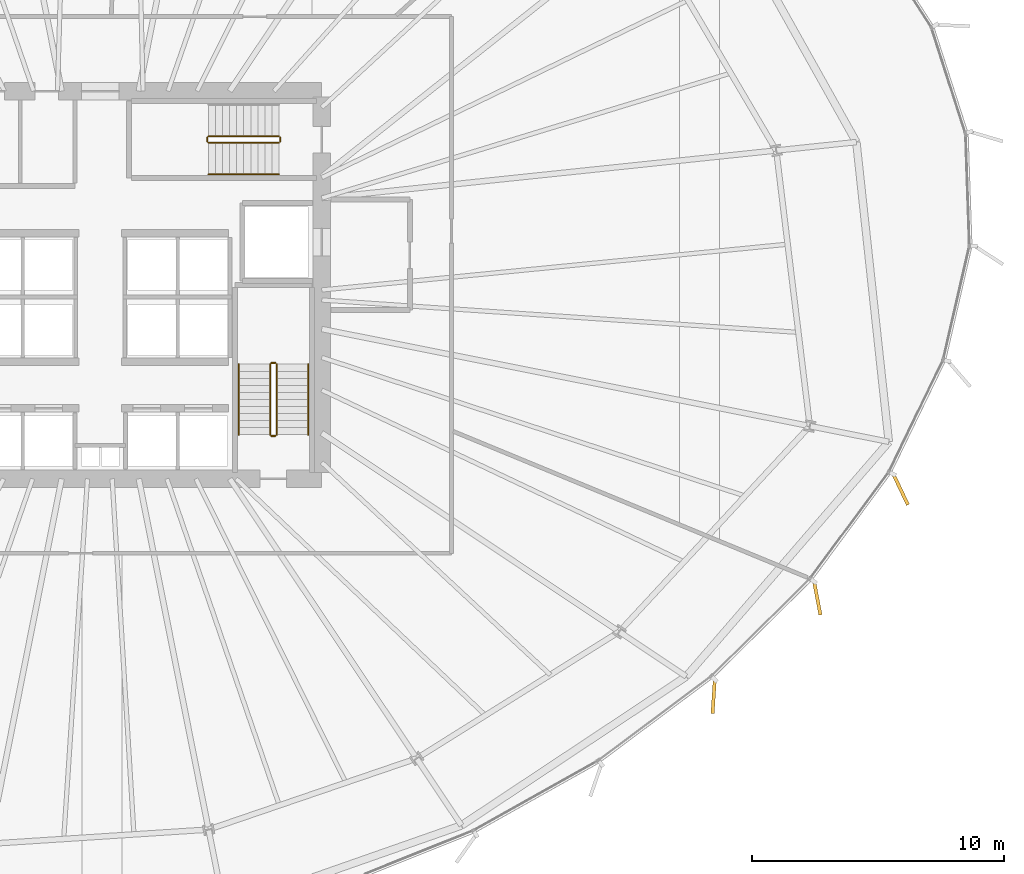
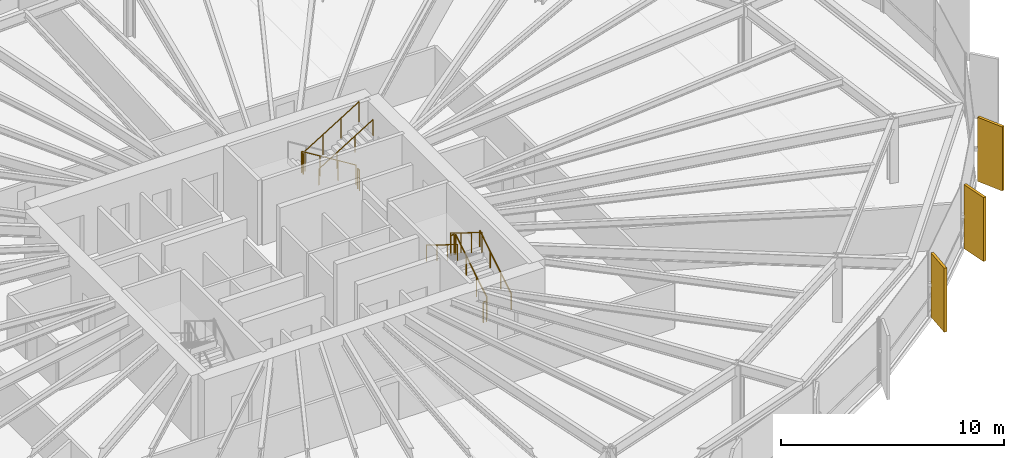
# One storey, part 34 of 35: 11 railings, 3 coverings.
"""IFC4 building model written with IfcOpenShell, lengths in metres."""

from ifc_helpers import new_model, si_unit, direction, frame, origin, origin_2d, place, context, subcontext, project, spatial, rectangle, circle, extrude, source, transform, mapped, material, layer, layer_set, type_object, element, save


model = new_model("IFC4")

# Units and contexts
model_context = context("Model", 3, precision=1e-05, world=origin(), true_north=direction((0.0, 1.0)))
body_context = subcontext(model_context, "Body", "Model", "MODEL_VIEW")
ifc_project = project(units=[si_unit("LENGTHUNIT", "METRE"), si_unit("AREAUNIT", "SQUARE_METRE"), si_unit("VOLUMEUNIT", "CUBIC_METRE"), si_unit("PLANEANGLEUNIT", "RADIAN"), si_unit("MASSUNIT", "GRAM", prefix="KILO"), si_unit("THERMODYNAMICTEMPERATUREUNIT", "KELVIN")], contexts=[model_context])

# Site, building, storey
site_placement = place(None, origin())
site = spatial("IfcSite", under=ifc_project, at=site_placement, CompositionType="ELEMENT")
building_placement = place(site_placement, origin())
building = spatial("IfcBuilding", under=site, at=building_placement, Name="Kethvar Cultural Tower", CompositionType="ELEMENT")
storey_placement = place(building_placement, frame((0.0, 0.0, 71.39990234375)))
storey = spatial("IfcBuildingStorey", under=building, at=storey_placement, Name="L17", CompositionType="ELEMENT", Elevation=71.39990234375)

# Railings
ifc_material_1 = material(Name="Steel S355J2", Category="steel")
railing_type_1 = type_object("IfcRailingType", Name="RL-STAIR-GUARD", PredefinedType="BALUSTRADE", material=ifc_material_1)
railing_1_placement = place(storey_placement, frame((53.81005859375, 21.85009765625, 0.1728515625)))
element("IfcRailing", 1, at=railing_1_placement, inside=storey, type_object=railing_type_1, Name="L17 ST-02 stair guard 1", PredefinedType="BALUSTRADE", context=body_context, shape_type="SweptSolid", body=[
    extrude(circle(Radius=0.02392578125, at=origin_2d()), frame((0.0, 0.0, 1.09619140625), z_axis=(0.0, 0.851069175582, 0.525053576669), x_axis=(-1.0, 0.0, 0.0)), (0.0, 0.0, 1.0), 3.289794921875),
    extrude(circle(Radius=0.02099609375, at=origin_2d()), origin(), (0.0, 0.0, 1.0), 1.072021484375),
    extrude(circle(Radius=0.02099609375, at=origin_2d()), frame((0.0, 0.933349609375, 0.57568359375)), (0.0, 0.0, 1.0), 1.072021484375),
    extrude(circle(Radius=0.02099609375, at=origin_2d()), frame((0.0, 1.866455078125, 1.151611328125)), (0.0, 0.0, 1.0), 1.072021484375),
    extrude(circle(Radius=0.02099609375, at=origin_2d()), frame((0.0, 2.7998046875, 1.727294921875)), (0.0, 0.0, 1.0), 1.072021484375),
])
railing_2_placement = place(storey_placement, frame((53.760009765625, 24.699951171875, 1.900146484375)))
element("IfcRailing", 2, at=railing_2_placement, inside=storey, type_object=railing_type_1, Name="L17 ST-02 stair guard 2", PredefinedType="BALUSTRADE", context=body_context, shape_type="SweptSolid", body=[
    extrude(circle(Radius=0.02392578125, at=origin_2d()), frame((0.0, 0.0, 1.09619140625), z_axis=(-1.0, 0.0, 0.0), x_axis=(0.0, -1.0, 0.0)), (0.0, 0.0, 1.0), 0.159912109375),
    extrude(circle(Radius=0.02099609375, at=origin_2d()), origin(), (0.0, 0.0, 1.0), 1.072021484375),
    extrude(circle(Radius=0.02099609375, at=origin_2d()), frame((-0.159912109375, 0.0, 0.0)), (0.0, 0.0, 1.0), 1.072021484375),
])
railing_3_placement = place(storey_placement, frame((53.550048828125, 24.64990234375, 2.07275390625)))
element("IfcRailing", 3, at=railing_3_placement, inside=storey, type_object=railing_type_1, Name="L17 ST-02 stair guard 3", PredefinedType="BALUSTRADE", context=body_context, shape_type="SweptSolid", body=[
    extrude(circle(Radius=0.02392578125, at=origin_2d()), frame((0.0, 0.0, 1.09619140625), z_axis=(0.0, -0.851069175582, 0.525053576669), x_axis=(1.0, 0.0, 0.0)), (0.0, 0.0, 1.0), 3.289794921875),
    extrude(circle(Radius=0.02099609375, at=origin_2d()), origin(), (0.0, 0.0, 1.0), 1.072021484375),
    extrude(circle(Radius=0.02099609375, at=origin_2d()), frame((0.0, -0.933349609375, 0.57568359375)), (0.0, 0.0, 1.0), 1.072021484375),
    extrude(circle(Radius=0.02099609375, at=origin_2d()), frame((0.0, -1.866455078125, 1.151611328125)), (0.0, 0.0, 1.0), 1.072021484375),
    extrude(circle(Radius=0.02099609375, at=origin_2d()), frame((0.0, -2.7998046875, 1.727294921875)), (0.0, 0.0, 1.0), 1.072021484375),
])
railing_4_placement = place(storey_placement, frame((53.760009765625, 21.800048828125, 0.0)))
element("IfcRailing", 4, at=railing_4_placement, inside=storey, type_object=railing_type_1, Name="L17 ST-02 stair guard 4", PredefinedType="BALUSTRADE", context=body_context, shape_type="SweptSolid", body=[
    extrude(circle(Radius=0.02392578125, at=origin_2d()), frame((0.0, 0.0, 1.09619140625), z_axis=(-1.0, 0.0, 0.0), x_axis=(0.0, -1.0, 0.0)), (0.0, 0.0, 1.0), 0.159912109375),
    extrude(circle(Radius=0.02099609375, at=origin_2d()), origin(), (0.0, 0.0, 1.0), 1.072021484375),
    extrude(circle(Radius=0.02099609375, at=origin_2d()), frame((-0.159912109375, 0.0, 0.0)), (0.0, 0.0, 1.0), 1.072021484375),
])
railing_5_placement = place(storey_placement, frame((53.89990234375, 33.7099609375, 0.1728515625)))
element("IfcRailing", 5, at=railing_5_placement, inside=storey, type_object=railing_type_1, Name="L17 ST-03 stair guard 1", PredefinedType="BALUSTRADE", context=body_context, shape_type="SweptSolid", body=[
    extrude(circle(Radius=0.02392578125, at=origin_2d()), frame((0.0, 0.0, 1.09619140625), z_axis=(-0.851069175582, 0.0, 0.525053576669), x_axis=(0.0, -1.0, 0.0)), (0.0, 0.0, 1.0), 3.289794921875),
    extrude(circle(Radius=0.02099609375, at=origin_2d()), origin(), (0.0, 0.0, 1.0), 1.072021484375),
    extrude(circle(Radius=0.02099609375, at=origin_2d()), frame((-0.933349609375, 0.0, 0.57568359375)), (0.0, 0.0, 1.0), 1.072021484375),
    extrude(circle(Radius=0.02099609375, at=origin_2d()), frame((-1.866455078125, 0.0, 1.151611328125)), (0.0, 0.0, 1.0), 1.072021484375),
    extrude(circle(Radius=0.02099609375, at=origin_2d()), frame((-2.7998046875, 0.0, 1.727294921875)), (0.0, 0.0, 1.0), 1.072021484375),
])
railing_6_placement = place(storey_placement, frame((51.050048828125, 33.659912109375, 1.900146484375)))
element("IfcRailing", 6, at=railing_6_placement, inside=storey, type_object=railing_type_1, Name="L17 ST-03 stair guard 2", PredefinedType="BALUSTRADE", context=body_context, shape_type="SweptSolid", body=[
    extrude(circle(Radius=0.02392578125, at=origin_2d()), frame((0.0, 0.0, 1.09619140625), z_axis=(0.0, -1.0, 0.0), x_axis=(1.0, 0.0, 0.0)), (0.0, 0.0, 1.0), 0.159912109375),
    extrude(circle(Radius=0.02099609375, at=origin_2d()), origin(), (0.0, 0.0, 1.0), 1.072021484375),
    extrude(circle(Radius=0.02099609375, at=origin_2d()), frame((0.0, -0.159912109375, 0.0)), (0.0, 0.0, 1.0), 1.072021484375),
])
railing_7_placement = place(storey_placement, frame((51.10009765625, 33.449951171875, 2.07275390625)))
element("IfcRailing", 7, at=railing_7_placement, inside=storey, type_object=railing_type_1, Name="L17 ST-03 stair guard 3", PredefinedType="BALUSTRADE", context=body_context, shape_type="SweptSolid", body=[
    extrude(circle(Radius=0.02392578125, at=origin_2d()), frame((0.0, 0.0, 1.09619140625), z_axis=(0.851069175582, 0.0, 0.525053576669), x_axis=(0.0, 1.0, 0.0)), (0.0, 0.0, 1.0), 3.289794921875),
    extrude(circle(Radius=0.02099609375, at=origin_2d()), origin(), (0.0, 0.0, 1.0), 1.072021484375),
    extrude(circle(Radius=0.02099609375, at=origin_2d()), frame((0.933349609375, 0.0, 0.57568359375)), (0.0, 0.0, 1.0), 1.072021484375),
    extrude(circle(Radius=0.02099609375, at=origin_2d()), frame((1.866455078125, 0.0, 1.151611328125)), (0.0, 0.0, 1.0), 1.072021484375),
    extrude(circle(Radius=0.02099609375, at=origin_2d()), frame((2.7998046875, 0.0, 1.727294921875)), (0.0, 0.0, 1.0), 1.072021484375),
])
railing_8_placement = place(storey_placement, frame((53.949951171875, 33.659912109375, 0.0)))
element("IfcRailing", 8, at=railing_8_placement, inside=storey, type_object=railing_type_1, Name="L17 ST-03 stair guard 4", PredefinedType="BALUSTRADE", context=body_context, shape_type="SweptSolid", body=[
    extrude(circle(Radius=0.02392578125, at=origin_2d()), frame((0.0, 0.0, 1.09619140625), z_axis=(0.0, -1.0, 0.0), x_axis=(1.0, 0.0, 0.0)), (0.0, 0.0, 1.0), 0.159912109375),
    extrude(circle(Radius=0.02099609375, at=origin_2d()), origin(), (0.0, 0.0, 1.0), 1.072021484375),
    extrude(circle(Radius=0.02099609375, at=origin_2d()), frame((0.0, -0.159912109375, 0.0)), (0.0, 0.0, 1.0), 1.072021484375),
])
railing_type_2 = type_object("IfcRailingType", Name="RL-STAIR-HANDRAIL", PredefinedType="HANDRAIL", material=ifc_material_1)
railing_9_placement = place(storey_placement, frame((55.06005859375, 21.85009765625, 0.1728515625)))
element("IfcRailing", 9, at=railing_9_placement, inside=storey, type_object=railing_type_2, Name="L17 ST-02 stair handrail 1", PredefinedType="HANDRAIL", context=body_context, shape_type="SweptSolid", body=[
    extrude(circle(Radius=0.02392578125, at=origin_2d()), frame((0.0, 0.0, 0.8759765625), z_axis=(0.0, 0.851069175582, 0.525053576669), x_axis=(-1.0, 0.0, 0.0)), (0.0, 0.0, 1.0), 3.289794921875),
    extrude(circle(Radius=0.02099609375, at=origin_2d()), origin(), (0.0, 0.0, 1.0), 0.851806640625),
    extrude(circle(Radius=0.02099609375, at=origin_2d()), frame((0.0, 0.933349609375, 0.57568359375)), (0.0, 0.0, 1.0), 0.851806640625),
    extrude(circle(Radius=0.02099609375, at=origin_2d()), frame((0.0, 1.866455078125, 1.151611328125)), (0.0, 0.0, 1.0), 0.851806640625),
    extrude(circle(Radius=0.02099609375, at=origin_2d()), frame((0.0, 2.7998046875, 1.727294921875)), (0.0, 0.0, 1.0), 0.851806640625),
])
railing_10_placement = place(storey_placement, frame((52.300048828125, 24.64990234375, 2.07275390625)))
element("IfcRailing", 10, at=railing_10_placement, inside=storey, type_object=railing_type_2, Name="L17 ST-02 stair handrail 2", PredefinedType="HANDRAIL", context=body_context, shape_type="SweptSolid", body=[
    extrude(circle(Radius=0.02392578125, at=origin_2d()), frame((0.0, 0.0, 0.8759765625), z_axis=(0.0, -0.851069175582, 0.525053576669), x_axis=(1.0, 0.0, 0.0)), (0.0, 0.0, 1.0), 3.289794921875),
    extrude(circle(Radius=0.02099609375, at=origin_2d()), origin(), (0.0, 0.0, 1.0), 0.851806640625),
    extrude(circle(Radius=0.02099609375, at=origin_2d()), frame((0.0, -0.933349609375, 0.57568359375)), (0.0, 0.0, 1.0), 0.851806640625),
    extrude(circle(Radius=0.02099609375, at=origin_2d()), frame((0.0, -1.866455078125, 1.151611328125)), (0.0, 0.0, 1.0), 0.851806640625),
    extrude(circle(Radius=0.02099609375, at=origin_2d()), frame((0.0, -2.7998046875, 1.727294921875)), (0.0, 0.0, 1.0), 0.851806640625),
])
railing_11_placement = place(storey_placement, frame((51.10009765625, 32.199951171875, 2.07275390625)))
element("IfcRailing", 11, at=railing_11_placement, inside=storey, type_object=railing_type_2, Name="L17 ST-03 stair handrail 2", PredefinedType="HANDRAIL", context=body_context, shape_type="SweptSolid", body=[
    extrude(circle(Radius=0.02392578125, at=origin_2d()), frame((0.0, 0.0, 0.8759765625), z_axis=(0.851069175582, 0.0, 0.525053576669), x_axis=(0.0, 1.0, 0.0)), (0.0, 0.0, 1.0), 3.289794921875),
    extrude(circle(Radius=0.02099609375, at=origin_2d()), origin(), (0.0, 0.0, 1.0), 0.851806640625),
    extrude(circle(Radius=0.02099609375, at=origin_2d()), frame((0.933349609375, 0.0, 0.57568359375)), (0.0, 0.0, 1.0), 0.851806640625),
    extrude(circle(Radius=0.02099609375, at=origin_2d()), frame((1.866455078125, 0.0, 1.151611328125)), (0.0, 0.0, 1.0), 0.851806640625),
    extrude(circle(Radius=0.02099609375, at=origin_2d()), frame((2.7998046875, 0.0, 1.727294921875)), (0.0, 0.0, 1.0), 0.851806640625),
])

# Coverings
ifc_material_2 = material(Name="Extruded Architectural Terracotta", Category="masonry")
ifc_layer = layer(ifc_material_2, 0.135009765625, Name="Extruded Architectural Terracotta", Category="masonry")
ifc_layer_set = layer_set([ifc_layer], Name="Extruded Architectural Terracotta (135 mm)")
covering_type = type_object("IfcCoveringType", Name="Terracotta Facade Fin FIN-01", PredefinedType="CLADDING", material=ifc_layer_set)
shared_shape = source(origin(), body_context, "Body", "SweptSolid", [
    extrude(rectangle(XDim=1.35009765625, YDim=0.135009765625, at=origin_2d()), origin(), (0.0, 0.0, 1.0), 3.5),
])
for number, where, z_axis, x_axis, name in (
    (12, (71.171875, 11.449951171875, 0.02001953125), (0.0, 0.0, 1.0), (-0.065925597951, -0.997824541457, 0.0), "L17 Vertical Terracotta Fin 6.2"),
    (13, (75.2861328125, 15.35400390625, 0.02001953125), (0.0, 0.0, 1.0), (0.187895613278, -0.982189003456, 0.0), "L17 Vertical Terracotta Fin 6.3"),
    (14, (78.59912109375, 19.67236328125, 0.02001953125), (0.0, 0.0, 1.0), (0.429723278732, -0.902960632428, 0.0), "L17 Vertical Terracotta Fin 6.4"),
):
    element("IfcCovering", number, at=place(storey_placement, frame(where, z_axis=z_axis, x_axis=x_axis)), inside=storey, type_object=covering_type, Name=name, PredefinedType="CLADDING", context=body_context, shape_type="MappedRepresentation", body=[
        mapped(shared_shape, transform((0.0, 0.0, 0.0), scale=1.0)),
    ])

save(model, "model.ifc")
